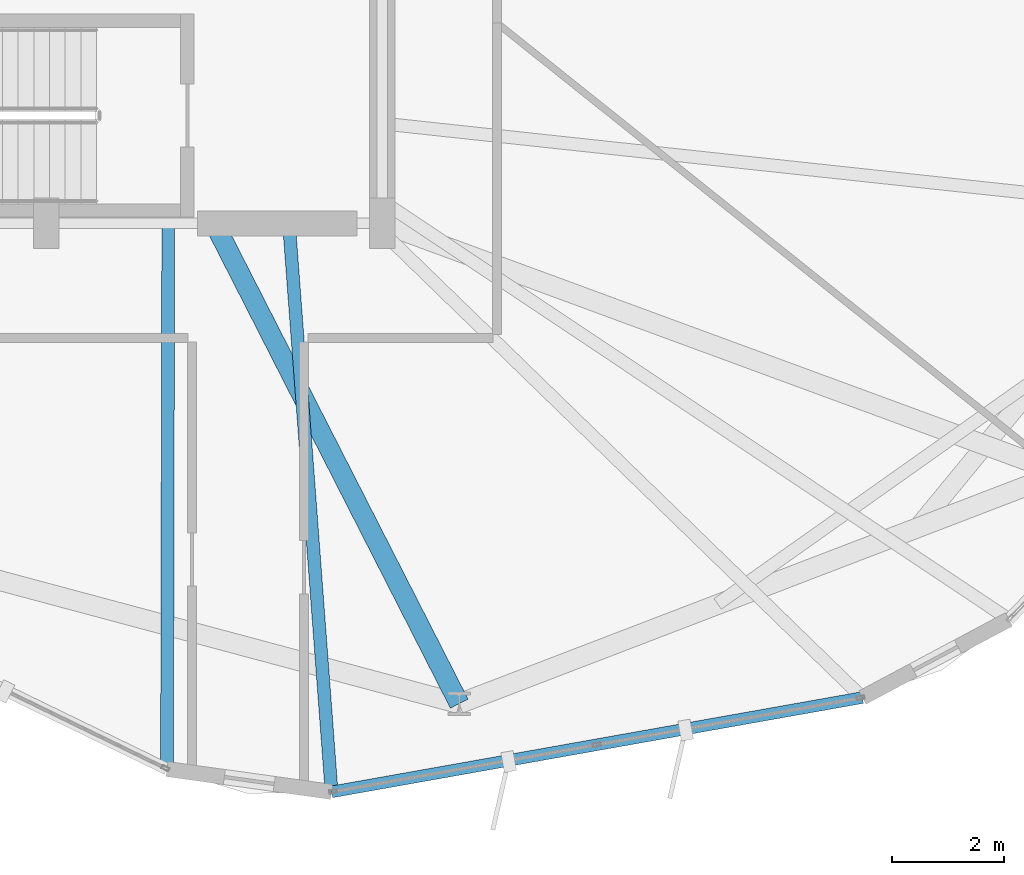
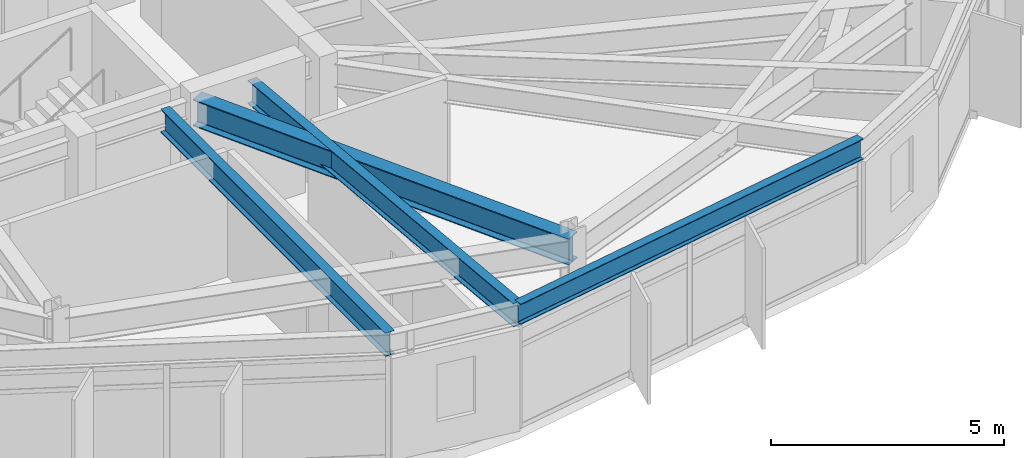
# One storey, part 6 of 28: 4 beams.
"""IFC4 building model written with IfcOpenShell, lengths in metres."""

from ifc_helpers import new_model, si_unit, direction, frame, origin, origin_2d, place, context, subcontext, project, spatial, i_section, extrude, material, material_profile, profile_set, type_object, element, save


model = new_model("IFC4")

# Units and contexts
model_context = context("Model", 3, precision=1e-05, world=origin(), true_north=direction((0.0, 1.0)))
body_context = subcontext(model_context, "Body", "Model", "MODEL_VIEW")
ifc_project = project(units=[si_unit("LENGTHUNIT", "METRE"), si_unit("AREAUNIT", "SQUARE_METRE"), si_unit("VOLUMEUNIT", "CUBIC_METRE"), si_unit("PLANEANGLEUNIT", "RADIAN"), si_unit("MASSUNIT", "GRAM", prefix="KILO")], contexts=[model_context])

# Site, building, storey
site_placement = place(None, origin())
site = spatial("IfcSite", under=ifc_project, at=site_placement, CompositionType="ELEMENT")
building_placement = place(site_placement, origin())
building = spatial("IfcBuilding", under=site, at=building_placement, Name="Soratama Intermodal Tower", CompositionType="ELEMENT")
storey_placement = place(building_placement, frame((0.0, 0.0, 205.0)))
storey = spatial("IfcBuildingStorey", under=building, at=storey_placement, Name="L51", CompositionType="ELEMENT", Elevation=205.0)

# Beams
ifc_material_1 = material(Name="Structural steel ASTM A992 Grade 50", Category="steel")
ifc_material_profile_1 = material_profile(ifc_material_1, i_section(OverallWidth=0.35498046875, OverallDepth=0.695068359375, WebThickness=0.015380859375, FlangeThickness=0.02490234375, FilletRadius=0.01611328125, at=origin_2d()), Name="W27X146")
ifc_profile_set_1 = profile_set([ifc_material_profile_1], Name="Structural steel ASTM A992 Grade 50")
beam_type_1 = type_object("IfcBeamType", Name="BM-RING-W27X146", PredefinedType="BEAM", material=ifc_profile_set_1)
beam_1_placement = place(storey_placement, frame((41.60009765625, 15.0, 2.952392578125), z_axis=(0.454332323157, -0.890832273851, 0.0), x_axis=(0.890832273851, 0.454332323157, 0.0)))
element("IfcBeam", 1, at=beam_1_placement, inside=storey, type_object=beam_type_1, Name="BM-L51-RAD-08", PredefinedType="BEAM", context=body_context, shape_type="SweptSolid", body=[
    extrude(i_section(OverallWidth=0.35498046875, OverallDepth=0.695068359375, WebThickness=0.015380859375, FlangeThickness=0.02490234375, FilletRadius=0.01611328125, at=origin_2d()), origin(), (0.0, 0.0, 1.0), 9.624755859375),
])
ifc_material_2 = material(Name="Structural steel ASTM A992 Grade 50", Category="steel")
ifc_material_profile_2 = material_profile(ifc_material_2, i_section(OverallWidth=0.2099609375, OverallDepth=0.537109375, WebThickness=0.010986328125, FlangeThickness=0.017333984375, FilletRadius=0.012939453125, at=origin_2d()), Name="W21X68")
ifc_profile_set_2 = profile_set([ifc_material_profile_2], Name="Structural steel ASTM A992 Grade 50")
beam_type_2 = type_object("IfcBeamType", Name="BM-SPN-W21X68", PredefinedType="SPANDREL", material=ifc_profile_set_2)
beam_2_placement = place(storey_placement, frame((43.694091796875, 4.85107421875, 3.031494140625), z_axis=(0.984576008108, 0.174957378402, 0.0), x_axis=(-0.174957378402, 0.984576008108, 0.0)))
element("IfcBeam", 2, at=beam_2_placement, inside=storey, type_object=beam_type_2, Name="BS-L51-F07", PredefinedType="SPANDREL", context=body_context, shape_type="SweptSolid", body=[
    extrude(i_section(OverallWidth=0.2099609375, OverallDepth=0.537109375, WebThickness=0.010986328125, FlangeThickness=0.017333984375, FilletRadius=0.012939453125, at=origin_2d()), origin(), (0.0, 0.0, 1.0), 9.624267578125),
])
ifc_material_3 = material(Name="Structural steel ASTM A992 Grade 50", Category="steel")
ifc_material_profile_3 = material_profile(ifc_material_3, i_section(OverallWidth=0.22900390625, OverallDepth=0.612060546875, WebThickness=0.011962890625, FlangeThickness=0.01953125, FilletRadius=0.012939453125, at=origin_2d()), Name="W24X84")
ifc_profile_set_3 = profile_set([ifc_material_profile_3], Name="Structural steel ASTM A992 Grade 50")
beam_type_3 = type_object("IfcBeamType", Name="BM-TIE-W24X84", PredefinedType="BEAM", material=ifc_profile_set_3)
beam_3_placement = place(storey_placement, frame((40.779052734375, 14.9599609375, 2.993896484375), z_axis=(-0.002365665961, -0.999997201808, 0.0), x_axis=(0.999997201808, -0.002365665961, 0.0)))
element("IfcBeam", 3, at=beam_3_placement, inside=storey, type_object=beam_type_3, Name="BM-L51-TIE1-06", PredefinedType="BEAM", context=body_context, shape_type="SweptSolid", body=[
    extrude(i_section(OverallWidth=0.22900390625, OverallDepth=0.612060546875, WebThickness=0.011962890625, FlangeThickness=0.01953125, FilletRadius=0.012939453125, at=origin_2d()), origin(), (0.0, 0.0, 1.0), 9.700927734375),
])
beam_4_placement = place(storey_placement, frame((42.93603515625, 14.9599609375, 2.993896484375), z_axis=(0.074779171297, -0.997200118101, 0.0), x_axis=(0.997200118101, 0.074779171297, 0.0)))
element("IfcBeam", 4, at=beam_4_placement, inside=storey, type_object=beam_type_3, Name="BM-L51-TIE0-07", PredefinedType="BEAM", context=body_context, shape_type="SweptSolid", body=[
    extrude(i_section(OverallWidth=0.22900390625, OverallDepth=0.612060546875, WebThickness=0.011962890625, FlangeThickness=0.01953125, FilletRadius=0.012939453125, at=origin_2d()), origin(), (0.0, 0.0, 1.0), 10.13720703125),
])

save(model, "model.ifc")
